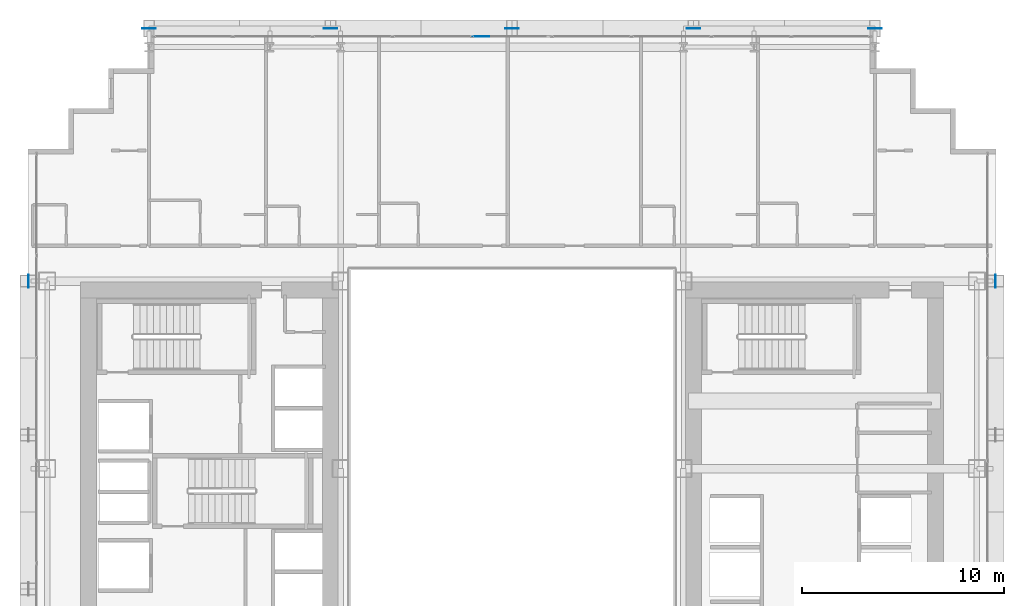
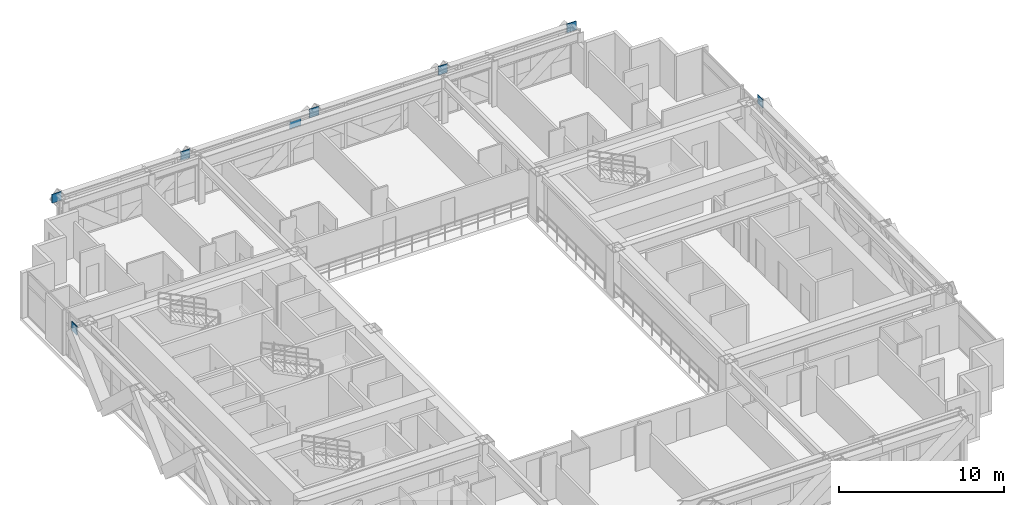
# One storey, part 29 of 38: 8 plates, 1 element without a shape of its own.
"""IFC4 building model written with IfcOpenShell, lengths in metres."""

from ifc_helpers import new_model, si_unit, direction, frame, origin, origin_2d, place, context, subcontext, project, spatial, rectangle, extrude, source, transform, mapped, material, layer, layer_set, type_object, element, aggregate, save


model = new_model("IFC4")

# Units and contexts
model_context = context("Model", 3, precision=1e-05, world=origin(), true_north=direction((0.0, 1.0)))
body_context = subcontext(model_context, "Body", "Model", "MODEL_VIEW")
ifc_project = project(units=[si_unit("LENGTHUNIT", "METRE"), si_unit("AREAUNIT", "SQUARE_METRE"), si_unit("VOLUMEUNIT", "CUBIC_METRE"), si_unit("PLANEANGLEUNIT", "RADIAN"), si_unit("MASSUNIT", "GRAM", prefix="KILO")], contexts=[model_context])

# Site, building, storey
site_placement = place(None, origin())
site = spatial("IfcSite", under=ifc_project, at=site_placement, CompositionType="ELEMENT")
building_placement = place(site_placement, origin())
building = spatial("IfcBuilding", under=site, at=building_placement, Name="Ocotamira Hotel", CompositionType="ELEMENT")
storey_placement = place(building_placement, frame((0.0, 0.0, 45.60009765625)))
storey = spatial("IfcBuildingStorey", under=building, at=storey_placement, Name="L10", CompositionType="ELEMENT", Elevation=45.60009765625)

# Plates
ifc_material_1 = material(Name="Pale-metal coated steel ASTM A572 Grade 50", Category="steel")
ifc_layer_1 = layer(ifc_material_1, 0.0400390625)
ifc_layer_set_1 = layer_set([ifc_layer_1], Name="Pale-metal coated steel ASTM A572 Grade 50")
plate_type_1 = type_object("IfcPlateType", Name="PLT-GUSSET-40", PredefinedType="SHEET", material=ifc_layer_set_1)
shared_shape_1 = source(origin(), body_context, "Body", "SweptSolid", [
    extrude(rectangle(XDim=0.64990234375, YDim=0.0400390625, at=origin_2d()), origin(), (0.0, 0.0, 1.0), 0.64990234375),
])
for number, where, z_axis, x_axis, name in (
    (1, (14.0, 49.969970703125, 2.77490234375), (0.0, 0.0, 1.0), (-1.0, 0.0, 0.0), "L10 Exoskeleton Diagrid N0.1 End Gusset B"),
    (2, (23.0, 49.969970703125, 2.77490234375), (0.0, 0.0, 1.0), (1.0, 0.0, 0.0), "L10 Exoskeleton Diagrid N0.2 End Gusset B"),
    (3, (32.0, 49.969970703125, 2.77490234375), (0.0, 0.0, 1.0), (1.0, 0.0, 0.0), "L10 Exoskeleton Diagrid N1.2 End Gusset B"),
    (4, (41.0, 49.969970703125, 2.77490234375), (0.0, 0.0, 1.0), (1.0, 0.0, 0.0), "L10 Exoskeleton Diagrid N2.2 End Gusset B"),
    (5, (50.0, 49.969970703125, 2.77490234375), (0.0, 0.0, 1.0), (1.0, 0.0, 0.0), "L10 Exoskeleton Diagrid N3.2 End Gusset B"),
):
    element("IfcPlate", number, at=place(storey_placement, frame(where, z_axis=z_axis, x_axis=x_axis)), inside=storey, type_object=plate_type_1, Name=name, PredefinedType="SHEET", context=body_context, shape_type="MappedRepresentation", body=[
        mapped(shared_shape_1, transform((0.0, 0.0, 0.0), scale=1.0)),
    ])
shared_shape_2 = source(origin(), body_context, "Body", "SweptSolid", [
    extrude(rectangle(XDim=0.0400390625, YDim=0.64990234375, at=origin_2d()), origin(), (0.0, 0.0, 1.0), 0.64990234375),
])
for number, where, z_axis, x_axis, name in (
    (6, (8.030029296875, 37.449951171875, 2.77490234375), (0.0, 0.0, 1.0), (1.0, 0.0, 0.0), "L10 Exoskeleton Diagrid W2.2 End Gusset B"),
    (7, (55.969970703125, 37.449951171875, 2.77490234375), (0.0, 0.0, 1.0), (1.0, 0.0, 0.0), "L10 Exoskeleton Diagrid E2.2 End Gusset B"),
):
    element("IfcPlate", number, at=place(storey_placement, frame(where, z_axis=z_axis, x_axis=x_axis)), inside=storey, type_object=plate_type_1, Name=name, PredefinedType="SHEET", context=body_context, shape_type="MappedRepresentation", body=[
        mapped(shared_shape_2, transform((0.0, 0.0, 0.0), scale=1.0)),
    ])

# Curtain wall, plate
ifc_material_2 = material(Name="Anodised pale-metal aluminium and solar glass", Category="aluminium")
ifc_layer_2 = layer(ifc_material_2, 0.179931640625)
ifc_layer_set_2 = layer_set([ifc_layer_2], Name="Anodised pale-metal aluminium and solar glass")
curtain_wall_type = type_object("IfcCurtainWallType", Name="CW-SYS2-Z1", PredefinedType="NOTDEFINED", material=ifc_layer_set_2)
curtain_wall_placement = place(storey_placement, origin())
curtain_wall = element("IfcCurtainWall", 8, at=curtain_wall_placement, inside=storey, type_object=curtain_wall_type, Name="L10 Curtain Wall CW-2 CW-L10-N", PredefinedType="NOTDEFINED")
ifc_material_3 = material(Name="Double-silver low-E insulated solar glass", Category="glass")
ifc_layer_3 = layer(ifc_material_3, 0.031982421875)
ifc_layer_set_3 = layer_set([ifc_layer_3], Name="Double-silver low-E insulated solar glass")
plate_type_2 = type_object("IfcPlateType", Name="CWP-VISION-32", PredefinedType="CURTAIN_PANEL", material=ifc_layer_set_3)
shared_shape_3 = source(origin(), body_context, "Body", "SweptSolid", [
    extrude(rectangle(XDim=0.797607421875, YDim=0.031982421875, at=origin_2d()), origin(), (0.0, 0.0, 1.0), 0.5107421875),
])
plate_placement = place(storey_placement, frame((30.461181640625, 49.580078125, 2.76416015625), z_axis=(0.0, 0.0, 1.0), x_axis=(1.0, 0.0, 0.0)))
plate = element("IfcPlate", 9, at=plate_placement, type_object=plate_type_2, Name="CW-2 panel 5.2.1", PredefinedType="CURTAIN_PANEL", context=body_context, shape_type="MappedRepresentation", body=[
    mapped(shared_shape_3, transform((0.0, 0.0, 0.0), scale=1.0)),
])
aggregate(curtain_wall, [plate])

save(model, "model.ifc")
